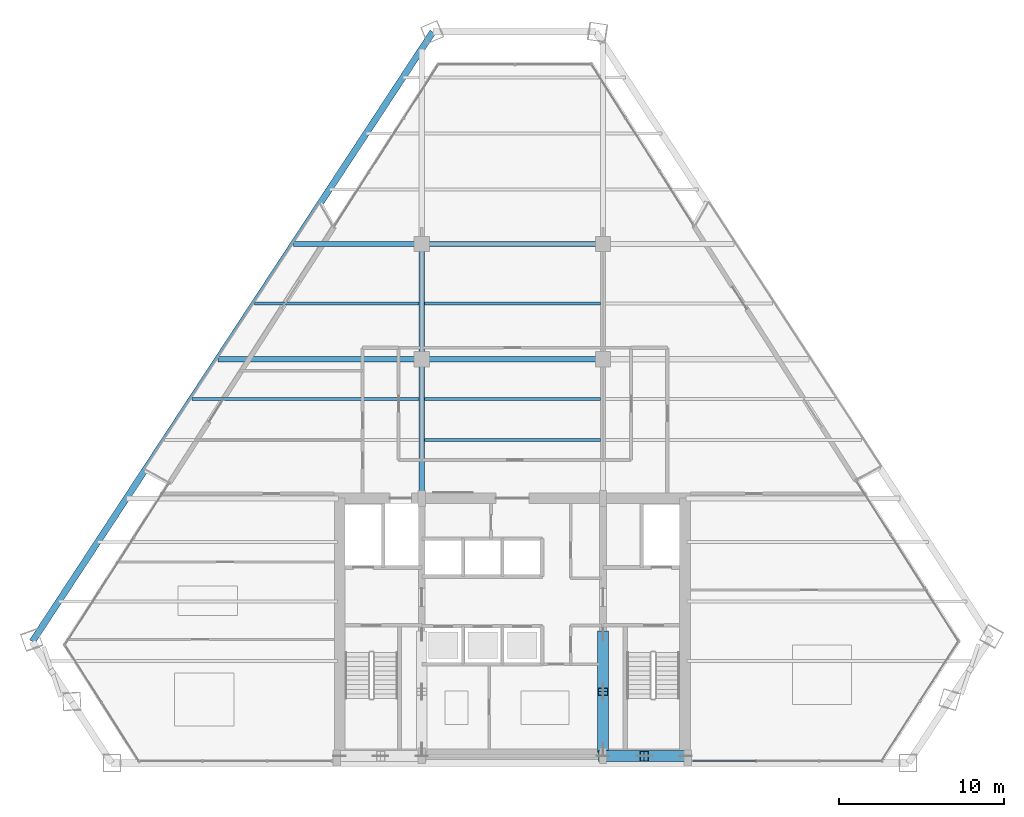
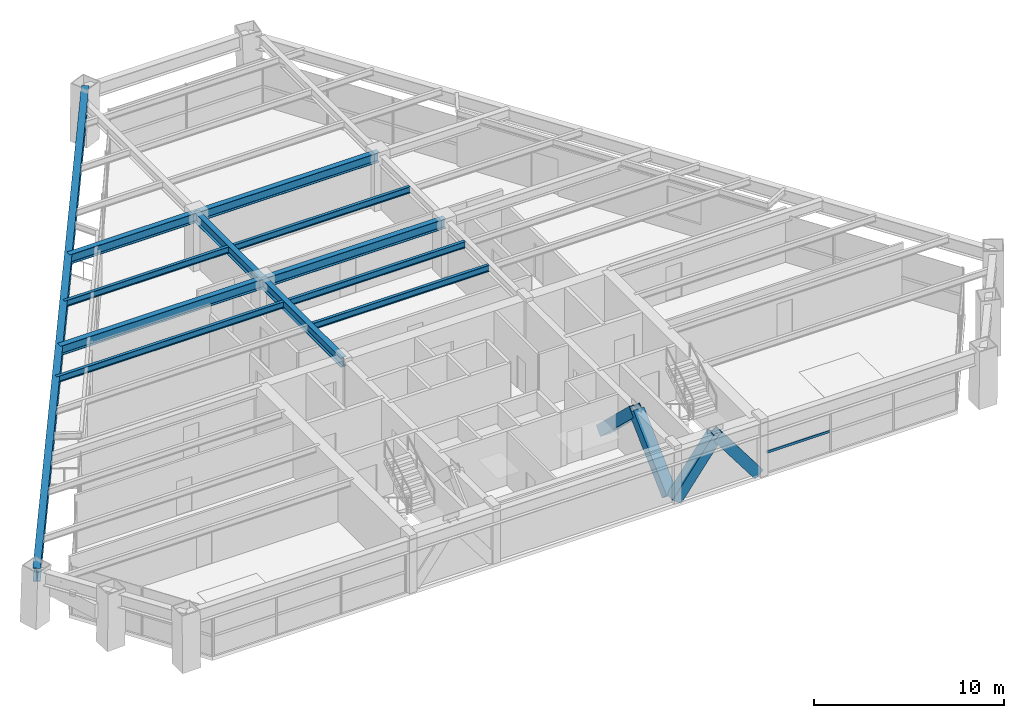
# One storey, part 5 of 16: 12 beams, 5 members, 1 element without a shape of its own.
"""IFC4 building model written with IfcOpenShell, lengths in metres."""

from ifc_helpers import new_model, si_unit, direction, frame, origin, origin_2d, place, context, subcontext, project, spatial, rectangle, hollow_rectangle, i_section, extrude, source, transform, mapped, material, material_profile, profile_set, type_object, type_shapes, element, aggregate, save


model = new_model("IFC4")

# Units and contexts
model_context = context("Model", 3, precision=1e-05, world=origin(), true_north=direction((0.0, 1.0)))
body_context = subcontext(model_context, "Body", "Model", "MODEL_VIEW")
ifc_project = project(units=[si_unit("LENGTHUNIT", "METRE"), si_unit("AREAUNIT", "SQUARE_METRE"), si_unit("VOLUMEUNIT", "CUBIC_METRE"), si_unit("PLANEANGLEUNIT", "RADIAN"), si_unit("MASSUNIT", "GRAM", prefix="KILO")], contexts=[model_context])

# Site, building, storey
site_placement = place(None, origin())
site = spatial("IfcSite", under=ifc_project, at=site_placement, CompositionType="ELEMENT")
building_placement = place(site_placement, origin())
building = spatial("IfcBuilding", under=site, at=building_placement, Name="Varnakhor Terracotta Tower", CompositionType="ELEMENT")
storey_placement = place(building_placement, frame((0.0, 0.0, 151.5)))
storey = spatial("IfcBuildingStorey", under=building, at=storey_placement, Name="L38", CompositionType="ELEMENT", Elevation=151.5)

# Beams
ifc_material_1 = material(Name="Steel S355", Category="steel")
ifc_material_profile_1 = material_profile(ifc_material_1, i_section(OverallWidth=0.324951171875, OverallDepth=0.615966796875, WebThickness=0.013916015625, FlangeThickness=0.02197265625, FilletRadius=0.01806640625, at=origin_2d()), Name="W24X117")
ifc_profile_set_1 = profile_set([ifc_material_profile_1], Name="Steel S355")
beam_type_1 = type_object("IfcBeamType", Name="BM-W24X117", PredefinedType="BEAM", material=ifc_profile_set_1)
shared_shape_1 = source(origin(), body_context, "Body", "SweptSolid", [
    extrude(i_section(OverallWidth=0.324951171875, OverallDepth=0.615966796875, WebThickness=0.013916015625, FlangeThickness=0.02197265625, FilletRadius=0.01806640625, at=origin_2d()), origin(), (0.0, 0.0, 1.0), 8.449951171875),
])
type_shapes(beam_type_1, [shared_shape_1])
beam_1_placement = place(storey_placement, frame((-5.5, 16.050048828125, 3.162109375), z_axis=(0.0, 1.0, 0.0), x_axis=(-1.0, 0.0, 0.0)))
element("IfcBeam", 1, at=beam_1_placement, inside=storey, type_object=beam_type_1, Name="L38 Primary Girder NS1-W", PredefinedType="BEAM", context=body_context, shape_type="MappedRepresentation", body=[
    mapped(shared_shape_1, transform((0.0, 0.0, 0.0), scale=1.0)),
])
shared_shape_2 = source(origin(), body_context, "Body", "SweptSolid", [
    extrude(i_section(OverallWidth=0.324951171875, OverallDepth=0.615966796875, WebThickness=0.013916015625, FlangeThickness=0.02197265625, FilletRadius=0.01806640625, at=origin_2d()), origin(), (0.0, 0.0, 1.0), 7.0),
])
beam_2_placement = place(storey_placement, frame((-5.5, 24.5, 3.162109375), z_axis=(0.0, 1.0, 0.0), x_axis=(-1.0, 0.0, 0.0)))
element("IfcBeam", 2, at=beam_2_placement, inside=storey, type_object=beam_type_1, Name="L38 Primary Girder NS2-W", PredefinedType="BEAM", context=body_context, shape_type="MappedRepresentation", body=[
    mapped(shared_shape_2, transform((0.0, 0.0, 0.0), scale=1.0)),
])
shared_shape_3 = source(origin(), body_context, "Body", "SweptSolid", [
    extrude(i_section(OverallWidth=0.324951171875, OverallDepth=0.615966796875, WebThickness=0.013916015625, FlangeThickness=0.02197265625, FilletRadius=0.01806640625, at=origin_2d()), origin(), (0.0, 0.0, 1.0), 11.0),
])
for number, where, z_axis, x_axis, name in (
    (3, (-5.5, 24.5, 3.162109375), (1.0, 0.0, 0.0), (0.0, 1.0, 0.0), "L38 Primary Girder EW2-2"),
    (4, (-5.5, 31.5, 3.162109375), (1.0, 0.0, 0.0), (0.0, 1.0, 0.0), "L38 Primary Girder EW3-2"),
):
    element("IfcBeam", number, at=place(storey_placement, frame(where, z_axis=z_axis, x_axis=x_axis)), inside=storey, type_object=beam_type_1, Name=name, PredefinedType="BEAM", context=body_context, shape_type="MappedRepresentation", body=[
        mapped(shared_shape_3, transform((0.0, 0.0, 0.0), scale=1.0)),
    ])
ifc_material_profile_2 = material_profile(ifc_material_1, i_section(OverallWidth=0.179931640625, OverallDepth=0.4130859375, WebThickness=0.009765625, FlangeThickness=0.01611328125, FilletRadius=0.01806640625, at=origin_2d()), Name="W16X50")
ifc_profile_set_2 = profile_set([ifc_material_profile_2], Name="Steel S355")
beam_type_2 = type_object("IfcBeamType", Name="JST-W16X50", PredefinedType="JOIST", material=ifc_profile_set_2)
shared_shape_4 = source(origin(), body_context, "Body", "SweptSolid", [
    extrude(i_section(OverallWidth=0.179931640625, OverallDepth=0.4130859375, WebThickness=0.009765625, FlangeThickness=0.01611328125, FilletRadius=0.01806640625, at=origin_2d()), origin(), (0.0, 0.0, 1.0), 10.68310546875),
])
for number, where, z_axis, x_axis, name in (
    (5, (-5.341552734375, 19.60009765625, 3.263427734375), (1.0, 0.0, 0.0), (0.0, 1.0, 0.0), "L38 Composite Floor Joist 4-2"),
    (6, (-5.341552734375, 22.10009765625, 3.263427734375), (1.0, 0.0, 0.0), (0.0, 1.0, 0.0), "L38 Composite Floor Joist 5-2"),
    (7, (-5.341552734375, 27.89990234375, 3.263427734375), (1.0, 0.0, 0.0), (0.0, 1.0, 0.0), "L38 Composite Floor Joist 6-2"),
):
    element("IfcBeam", number, at=place(storey_placement, frame(where, z_axis=z_axis, x_axis=x_axis)), inside=storey, type_object=beam_type_2, Name=name, PredefinedType="JOIST", context=body_context, shape_type="MappedRepresentation", body=[
        mapped(shared_shape_4, transform((0.0, 0.0, 0.0), scale=1.0)),
    ])

# Members
ifc_material_2 = material(Name="Steel S460", Category="steel")
ifc_material_profile_3 = material_profile(ifc_material_2, hollow_rectangle(XDim=0.64990234375, YDim=0.64990234375, WallThickness=0.0400390625, at=origin_2d()), Name="HSS650X650X40")
ifc_profile_set_3 = profile_set([ifc_material_profile_3], Name="Steel S460")
member_type_1 = type_object("IfcMemberType", Name="MBR-MEGA-650", PredefinedType="BRACE", material=ifc_profile_set_3)
shared_shape_5 = source(origin(), body_context, "Body", "SweptSolid", [
    extrude(hollow_rectangle(XDim=0.64990234375, YDim=0.64990234375, WallThickness=0.0400390625, at=origin_2d()), origin(), (0.0, 0.0, 1.0), 4.805908203125),
])
member_1_placement = place(storey_placement, frame((5.5, 0.85009765625, 0.0), z_axis=(0.0, 0.723026776832, 0.69082000549), x_axis=(-1.0, 0.0, 0.0)))
element("IfcMember", 8, at=member_1_placement, inside=storey, type_object=member_type_1, Name="L38 Core Coupled Brace CWEA", PredefinedType="BRACE", context=body_context, shape_type="MappedRepresentation", body=[
    mapped(shared_shape_5, transform((0.0, 0.0, 0.0), scale=1.0)),
])
shared_shape_6 = source(origin(), body_context, "Body", "SweptSolid", [
    extrude(hollow_rectangle(XDim=0.64990234375, YDim=0.64990234375, WallThickness=0.0400390625, at=origin_2d()), origin(), (0.0, 0.0, 1.0), 4.156005859375),
])
for number, where, z_axis, x_axis, name in (
    (9, (5.5, 0.419921875, 0.0), (0.601530923869, 0.0, 0.798849515009), (0.0, 1.0, 0.0), "L38 Core Coupled Brace CSEA"),
    (10, (10.5, 0.419921875, 0.0), (-0.601530923869, 0.0, 0.798849515009), (0.0, -1.0, 0.0), "L38 Core Coupled Brace CSEB"),
):
    element("IfcMember", number, at=place(storey_placement, frame(where, z_axis=z_axis, x_axis=x_axis)), inside=storey, type_object=member_type_1, Name=name, PredefinedType="BRACE", context=body_context, shape_type="MappedRepresentation", body=[
        mapped(shared_shape_6, transform((0.0, 0.0, 0.0), scale=1.0)),
    ])
shared_shape_7 = source(origin(), body_context, "Body", "SweptSolid", [
    extrude(hollow_rectangle(XDim=0.64990234375, YDim=0.64990234375, WallThickness=0.0400390625, at=origin_2d()), origin(), (0.0, 0.0, 1.0), 4.80615234375),
])
member_2_placement = place(storey_placement, frame((5.5, 7.800048828125, 0.0), z_axis=(0.0, -0.723051018573, 0.690794632681), x_axis=(1.0, 0.0, 0.0)))
element("IfcMember", 11, at=member_2_placement, inside=storey, type_object=member_type_1, Name="L38 Core Coupled Brace CWEB", PredefinedType="BRACE", context=body_context, shape_type="MappedRepresentation", body=[
    mapped(shared_shape_7, transform((0.0, 0.0, 0.0), scale=1.0)),
])

# Beams
ifc_material_profile_4 = material_profile(ifc_material_1, i_section(OverallWidth=0.39990234375, OverallDepth=0.85498046875, WebThickness=0.01806640625, FlangeThickness=0.029052734375, FilletRadius=0.01806640625, at=origin_2d()), Name="W33X201")
ifc_profile_set_4 = profile_set([ifc_material_profile_4], Name="Steel S355")
beam_type_3 = type_object("IfcBeamType", Name="BM-W33X201", PredefinedType="BEAM", material=ifc_profile_set_4)
shared_shape_8 = source(origin(), body_context, "Body", "SweptSolid", [
    extrude(i_section(OverallWidth=0.39990234375, OverallDepth=0.85498046875, WebThickness=0.01806640625, FlangeThickness=0.029052734375, FilletRadius=0.01806640625, at=origin_2d()), origin(), (0.0, 0.0, 1.0), 44.275634765625),
])
beam_3_placement = place(storey_placement, frame((-4.82568359375, 44.37158203125, 3.04248046875), z_axis=(-0.549093820619, -0.835760717047, 0.0), x_axis=(0.835760717047, -0.549093820619, 0.0)))
element("IfcBeam", 12, at=beam_3_placement, inside=storey, type_object=beam_type_3, Name="L38 Perimeter Spandrel 6", PredefinedType="BEAM", context=body_context, shape_type="MappedRepresentation", body=[
    mapped(shared_shape_8, transform((0.0, 0.0, 0.0), scale=1.0)),
])
shared_shape_9 = source(origin(), body_context, "Body", "SweptSolid", [
    extrude(i_section(OverallWidth=0.324951171875, OverallDepth=0.615966796875, WebThickness=0.013916015625, FlangeThickness=0.02197265625, FilletRadius=0.01806640625, at=origin_2d()), origin(), (0.0, 0.0, 1.0), 12.38134765625),
])
beam_4_placement = place(storey_placement, frame((-17.88134765625, 24.5, 3.162109375), z_axis=(1.0, 0.0, 0.0), x_axis=(0.0, 1.0, 0.0)))
element("IfcBeam", 13, at=beam_4_placement, inside=storey, type_object=beam_type_1, Name="L38 Primary Girder EW2-1", PredefinedType="BEAM", context=body_context, shape_type="MappedRepresentation", body=[
    mapped(shared_shape_9, transform((0.0, 0.0, 0.0), scale=1.0)),
])
shared_shape_10 = source(origin(), body_context, "Body", "SweptSolid", [
    extrude(i_section(OverallWidth=0.324951171875, OverallDepth=0.615966796875, WebThickness=0.013916015625, FlangeThickness=0.02197265625, FilletRadius=0.01806640625, at=origin_2d()), origin(), (0.0, 0.0, 1.0), 7.7822265625),
])
beam_5_placement = place(storey_placement, frame((-13.2822265625, 31.5, 3.162109375), z_axis=(1.0, 0.0, 0.0), x_axis=(0.0, 1.0, 0.0)))
element("IfcBeam", 14, at=beam_5_placement, inside=storey, type_object=beam_type_1, Name="L38 Primary Girder EW3-1", PredefinedType="BEAM", context=body_context, shape_type="MappedRepresentation", body=[
    mapped(shared_shape_10, transform((0.0, 0.0, 0.0), scale=1.0)),
])
shared_shape_11 = source(origin(), body_context, "Body", "SweptSolid", [
    extrude(i_section(OverallWidth=0.179931640625, OverallDepth=0.4130859375, WebThickness=0.009765625, FlangeThickness=0.01611328125, FilletRadius=0.01806640625, at=origin_2d()), origin(), (0.0, 0.0, 1.0), 13.799560546875),
])
beam_6_placement = place(storey_placement, frame((-19.4580078125, 22.10009765625, 3.263427734375), z_axis=(1.0, 0.0, 0.0), x_axis=(0.0, 1.0, 0.0)))
element("IfcBeam", 15, at=beam_6_placement, inside=storey, type_object=beam_type_2, Name="L38 Composite Floor Joist 5-1", PredefinedType="JOIST", context=body_context, shape_type="MappedRepresentation", body=[
    mapped(shared_shape_11, transform((0.0, 0.0, 0.0), scale=1.0)),
])
shared_shape_12 = source(origin(), body_context, "Body", "SweptSolid", [
    extrude(i_section(OverallWidth=0.179931640625, OverallDepth=0.4130859375, WebThickness=0.009765625, FlangeThickness=0.01611328125, FilletRadius=0.01806640625, at=origin_2d()), origin(), (0.0, 0.0, 1.0), 9.989013671875),
])
beam_7_placement = place(storey_placement, frame((-15.6474609375, 27.89990234375, 3.263427734375), z_axis=(1.0, 0.0, 0.0), x_axis=(0.0, 1.0, 0.0)))
element("IfcBeam", 16, at=beam_7_placement, inside=storey, type_object=beam_type_2, Name="L38 Composite Floor Joist 6-1", PredefinedType="JOIST", context=body_context, shape_type="MappedRepresentation", body=[
    mapped(shared_shape_12, transform((0.0, 0.0, 0.0), scale=1.0)),
])

# Curtain wall, member
ifc_material_3 = material(Name="Anodised Aluminium Curtain Wall System", Category="aluminium")
curtain_wall_type = type_object("IfcCurtainWallType", Name="CW-SYS-MID-OFFICE", PredefinedType="NOTDEFINED", material=ifc_material_3)
curtain_wall_placement = place(storey_placement, origin())
curtain_wall = element("IfcCurtainWall", 17, at=curtain_wall_placement, inside=storey, type_object=curtain_wall_type, Name="L38 South Wing Curtain Wall SSE", PredefinedType="NOTDEFINED")
ifc_material_4 = material(Name="Anodised Aluminium 6063-T6", Category="aluminium")
ifc_material_profile_5 = material_profile(ifc_material_4, rectangle(XDim=0.070068359375, YDim=0.155029296875, at=origin_2d()), Name="ALU TRANSOM 70x155")
ifc_profile_set_5 = profile_set([ifc_material_profile_5], Name="Anodised Aluminium 6063-T6")
member_type_2 = type_object("IfcMemberType", Name="CWT-03", PredefinedType="USERDEFINED", material=ifc_profile_set_5)
shared_shape_13 = source(origin(), body_context, "Body", "SweptSolid", [
    extrude(rectangle(XDim=0.070068359375, YDim=0.155029296875, at=origin_2d()), origin(), (0.0, 0.0, 1.0), 3.826171875),
])
member_3_placement = place(storey_placement, frame((14.796142578125, 0.1201171875, 1.281005859375), z_axis=(-1.0, 0.0, 0.0), x_axis=(0.0, -1.0, 0.0)))
member_3 = element("IfcMember", 18, at=member_3_placement, type_object=member_type_2, Name="L38 South Wing Curtain Wall SSE Transom 3", ObjectType="TRANSOM", PredefinedType="USERDEFINED", context=body_context, shape_type="MappedRepresentation", body=[
    mapped(shared_shape_13, transform((0.0, 0.0, 0.0), scale=1.0)),
])
aggregate(curtain_wall, [member_3])

save(model, "model.ifc")
